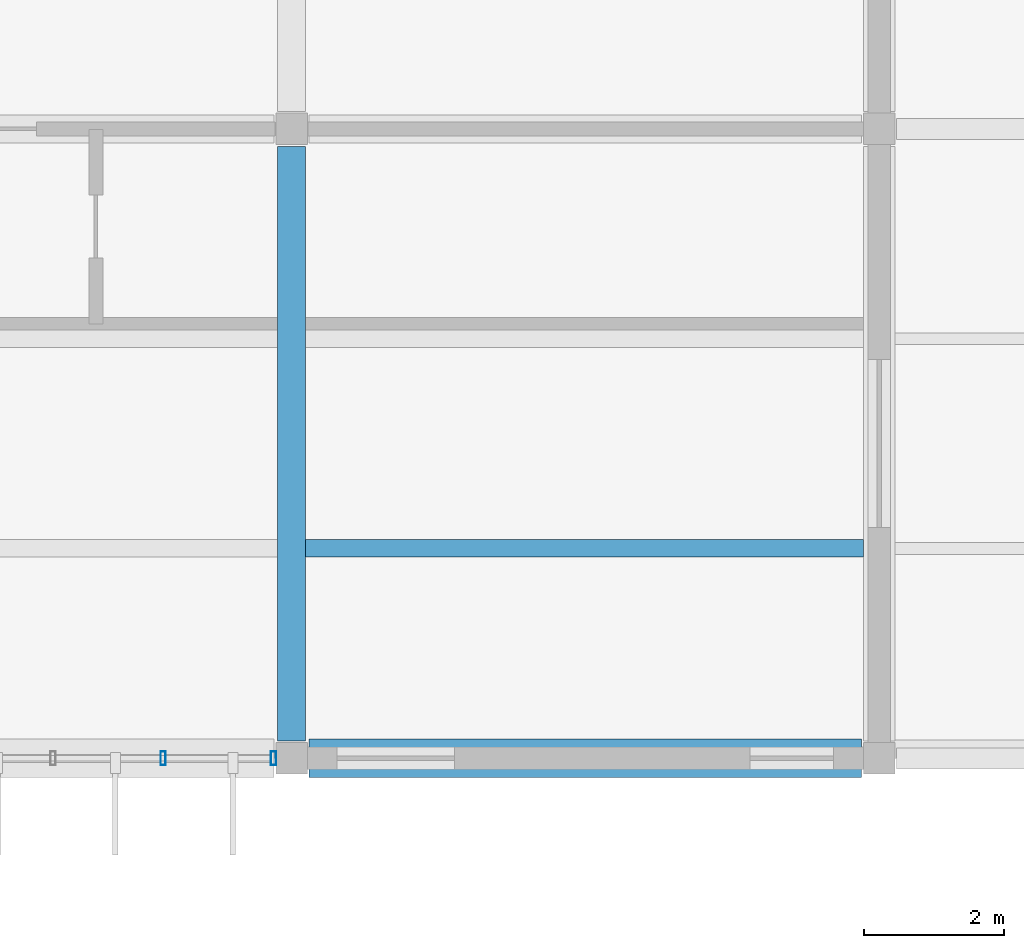
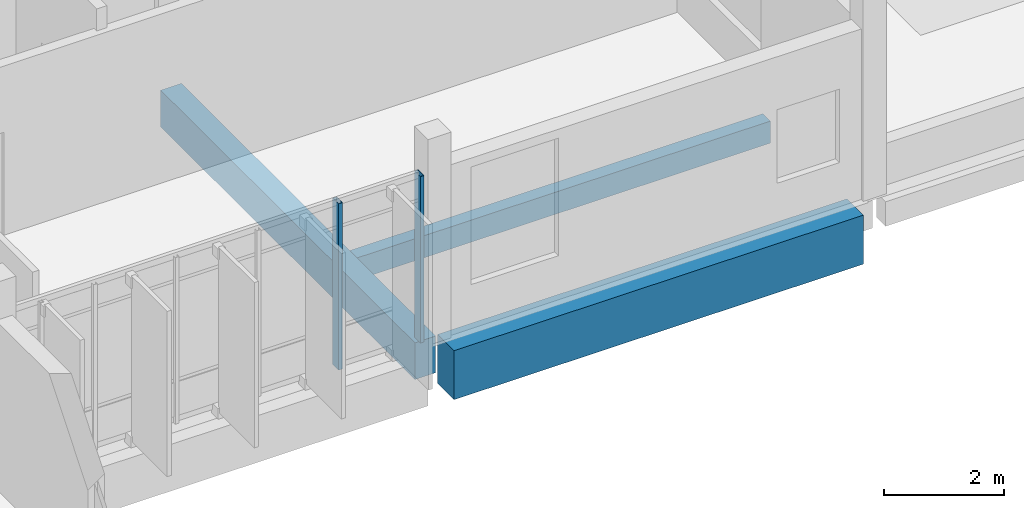
# One storey, part 26 of 62: 3 beams, 2 members, 1 element without a shape of its own.
"""IFC4 building model written with IfcOpenShell, lengths in metres."""

from ifc_helpers import new_model, si_unit, direction, frame, origin, origin_2d, place, context, subcontext, project, spatial, rectangle, hollow_rectangle, extrude, material, layer, layer_set, material_profile, profile_set, type_object, element, aggregate, save


model = new_model("IFC4")

# Units and contexts
model_context = context("Model", 3, precision=1e-05, world=origin(), true_north=direction((0.0, 1.0)))
body_context = subcontext(model_context, "Body", "Model", "MODEL_VIEW")
ifc_project = project(units=[si_unit("LENGTHUNIT", "METRE"), si_unit("AREAUNIT", "SQUARE_METRE"), si_unit("VOLUMEUNIT", "CUBIC_METRE"), si_unit("PLANEANGLEUNIT", "RADIAN"), si_unit("MASSUNIT", "GRAM", prefix="KILO")], contexts=[model_context])

# Site, building, storey
site_placement = place(None, origin())
site = spatial("IfcSite", under=ifc_project, at=site_placement, CompositionType="ELEMENT")
building_placement = place(site_placement, origin())
building = spatial("IfcBuilding", under=site, at=building_placement, Name="Vireocrest Preparatory School", CompositionType="ELEMENT")
storey_placement = place(building_placement, frame((0.0, 0.0, 17.39990234375)))
storey = spatial("IfcBuildingStorey", under=building, at=storey_placement, Name="L04", CompositionType="ELEMENT", Elevation=17.39990234375)

# Curtain wall, members
ifc_material_1 = material(Name="Thermally broken aluminium EN AW-6063-T6", Category="aluminium")
ifc_layer = layer(ifc_material_1, 0.179931640625)
ifc_layer_set = layer_set([ifc_layer], Name="Thermally broken aluminium EN AW-6063-T6")
curtain_wall_type = type_object("IfcCurtainWallType", Name="Side Facade Curtain Wall 9000x4200", PredefinedType="USERDEFINED", material=ifc_layer_set)
curtain_wall_placement = place(storey_placement, origin())
curtain_wall = element("IfcCurtainWall", 1, at=curtain_wall_placement, inside=storey, type_object=curtain_wall_type, Name="Curtain Wall CW07 CW_L04_CW07_0674_0948_174", ObjectType="CURTAIN WALL", PredefinedType="USERDEFINED")
ifc_material_profile_1 = material_profile(ifc_material_1, hollow_rectangle(XDim=0.074951171875, YDim=0.199951171875, WallThickness=0.0048828125, at=origin_2d()), Name="ALU 75x200x5")
ifc_profile_set_1 = profile_set([ifc_material_profile_1], Name="Thermally broken aluminium EN AW-6063-T6")
member_type = type_object("IfcMemberType", Name="CW Mullion 75x200x5", PredefinedType="MULLION", material=ifc_profile_set_1)
member_1_placement = place(storey_placement, frame((73.763916015625, 94.800048828125, 0.0), z_axis=(0.0, 0.0, 1.0), x_axis=(1.0, 0.0, 0.0)))
member_1 = element("IfcMember", 2, at=member_1_placement, type_object=member_type, Name="CW Mullion ML3 CW_L04_CW07_0674_0948_174-6", PredefinedType="MULLION", context=body_context, shape_type="SweptSolid", body=[
    extrude(hollow_rectangle(XDim=0.074951171875, YDim=0.199951171875, WallThickness=0.0048828125, at=origin_2d()), origin(), (0.0, 0.0, 1.0), 3.39501953125),
])
member_2_placement = place(storey_placement, frame((75.340087890625, 94.800048828125, 0.0), z_axis=(0.0, 0.0, 1.0), x_axis=(1.0, 0.0, 0.0)))
member_2 = element("IfcMember", 3, at=member_2_placement, type_object=member_type, Name="CW Mullion ML3 CW_L04_CW07_0674_0948_174-7", PredefinedType="MULLION", context=body_context, shape_type="SweptSolid", body=[
    extrude(hollow_rectangle(XDim=0.074951171875, YDim=0.199951171875, WallThickness=0.0048828125, at=origin_2d()), origin(), (0.0, 0.0, 1.0), 3.39501953125),
])
aggregate(curtain_wall, [member_1, member_2])

# Beams
ifc_material_2 = material(Name="Concrete 40 MPa", Category="concrete")
ifc_material_profile_2 = material_profile(ifc_material_2, rectangle(XDim=0.39990234375, YDim=0.75, at=origin_2d()), Name="RC 400x750")
ifc_profile_set_2 = profile_set([ifc_material_profile_2], Name="Concrete 40 MPa")
beam_type_1 = type_object("IfcBeamType", Name="RC Commons Girder 400x750", PredefinedType="BEAM", material=ifc_profile_set_2)
beam_1_placement = place(storey_placement, frame((75.60009765625, 95.050048828125, -0.614990234375), z_axis=(0.0, 1.0, 0.0), x_axis=(-1.0, 0.0, 0.0)))
element("IfcBeam", 4, at=beam_1_placement, inside=storey, type_object=beam_type_1, Name="Primary Girder B09 L04-1388", PredefinedType="BEAM", context=body_context, shape_type="SweptSolid", body=[
    extrude(rectangle(XDim=0.39990234375, YDim=0.75, at=origin_2d()), origin(), (0.0, 0.0, 1.0), 8.5),
])
ifc_material_profile_3 = material_profile(ifc_material_2, rectangle(XDim=0.550048828125, YDim=1.0, at=origin_2d()), Name="RC 550x1000")
ifc_profile_set_3 = profile_set([ifc_material_profile_3], Name="Concrete 40 MPa")
beam_type_2 = type_object("IfcBeamType", Name="RC Core Coupling Beam 550x1000", PredefinedType="BEAM", material=ifc_profile_set_3)
beam_2_placement = place(storey_placement, frame((75.85009765625, 94.800048828125, -0.739990234375), z_axis=(1.0, 0.0, 0.0), x_axis=(0.0, 1.0, 0.0)))
element("IfcBeam", 5, at=beam_2_placement, inside=storey, type_object=beam_type_2, Name="Primary Girder B18 L04-1330", PredefinedType="BEAM", context=body_context, shape_type="SweptSolid", body=[
    extrude(rectangle(XDim=0.550048828125, YDim=1.0, at=origin_2d()), origin(), (0.0, 0.0, 1.0), 7.89990234375),
])
ifc_material_profile_4 = material_profile(ifc_material_2, rectangle(XDim=0.25, YDim=0.449951171875, at=origin_2d()), Name="RC 250x450")
ifc_profile_set_4 = profile_set([ifc_material_profile_4], Name="Concrete 40 MPa")
beam_type_3 = type_object("IfcBeamType", Name="RC Secondary Floor Joist 250x450", PredefinedType="JOIST", material=ifc_profile_set_4)
beam_3_placement = place(storey_placement, frame((75.800048828125, 97.800048828125, -0.46484375), z_axis=(1.0, 0.0, 0.0), x_axis=(0.0, 1.0, 0.0)))
element("IfcBeam", 6, at=beam_3_placement, inside=storey, type_object=beam_type_3, Name="Secondary Joist J01 L04-1473", PredefinedType="JOIST", context=body_context, shape_type="SweptSolid", body=[
    extrude(rectangle(XDim=0.25, YDim=0.449951171875, at=origin_2d()), origin(), (0.0, 0.0, 1.0), 7.974853515625),
])

save(model, "model.ifc")
